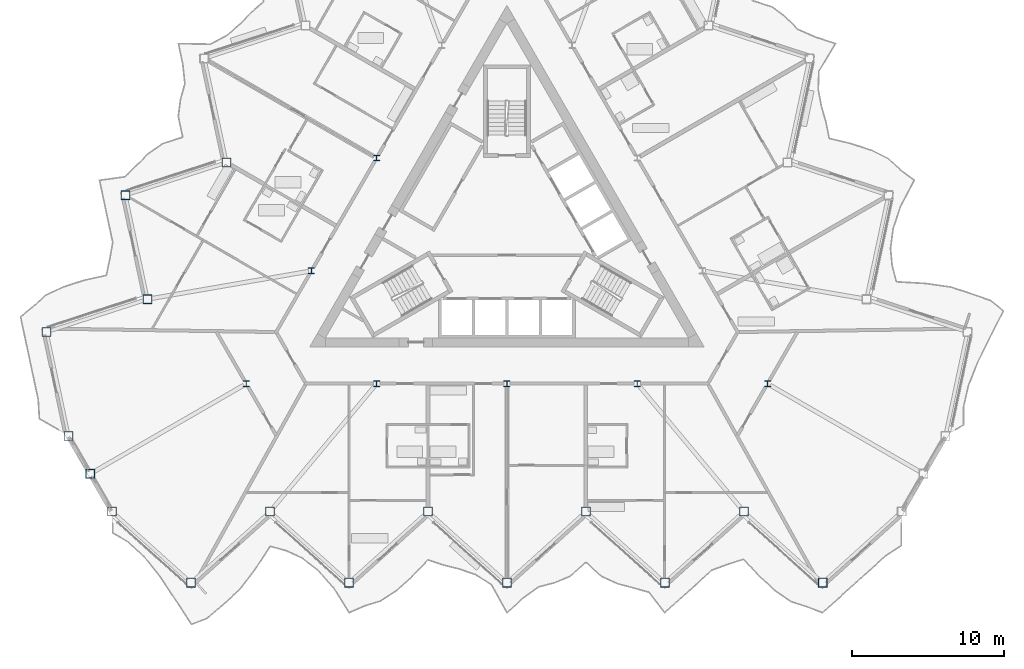
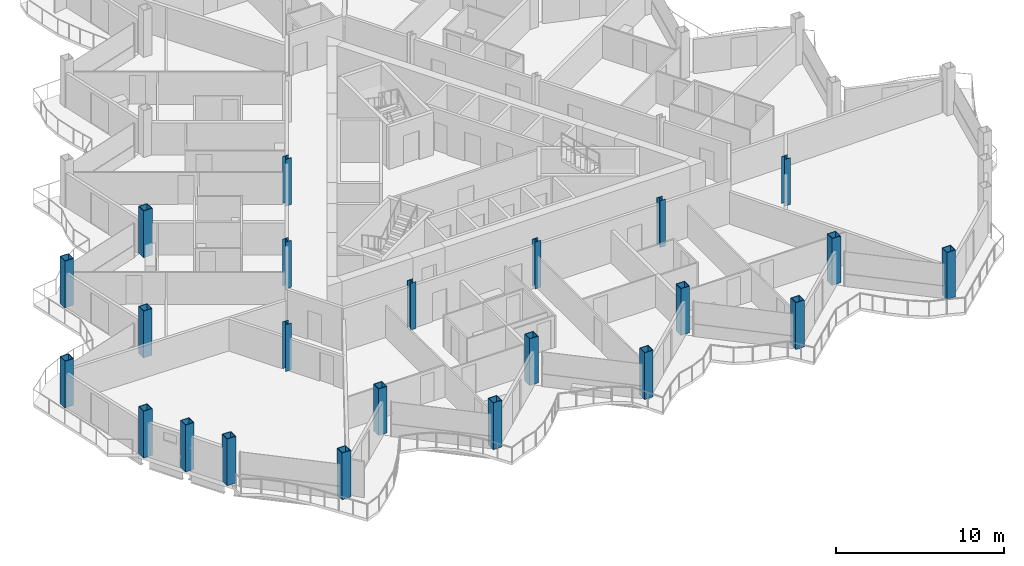
# One storey, part 1 of 26: 23 columns.
"""IFC4 building model written with IfcOpenShell, lengths in metres."""

from ifc_helpers import new_model, si_unit, direction, frame, origin, origin_2d, place, context, subcontext, project, spatial, hollow_rectangle, i_section, extrude, material, material_profile, profile_set, type_object, element, save


model = new_model("IFC4")

# Units and contexts
model_context = context("Model", 3, precision=1e-05, world=origin(), true_north=direction((0.0, 1.0)))
body_context = subcontext(model_context, "Body", "Model", "MODEL_VIEW")
ifc_project = project(units=[si_unit("LENGTHUNIT", "METRE"), si_unit("AREAUNIT", "SQUARE_METRE"), si_unit("VOLUMEUNIT", "CUBIC_METRE"), si_unit("PLANEANGLEUNIT", "RADIAN"), si_unit("MASSUNIT", "GRAM", prefix="KILO")], contexts=[model_context])

# Site, building, storey
site_placement = place(None, origin())
site = spatial("IfcSite", under=ifc_project, at=site_placement, CompositionType="ELEMENT")
building_placement = place(site_placement, origin())
building = spatial("IfcBuilding", under=site, at=building_placement, Name="Cormorant Prow Tower", CompositionType="ELEMENT")
storey_placement = place(building_placement, frame((0.0, 0.0, 325.60009765625)))
storey = spatial("IfcBuildingStorey", under=building, at=storey_placement, Name="L72", CompositionType="ELEMENT", Elevation=325.60009765625)

# Columns
ifc_material_1 = material(Name="Structural steel ASTM A572 Gr 50", Category="steel")
ifc_material_profile_1 = material_profile(ifc_material_1, hollow_rectangle(XDim=0.60009765625, YDim=0.60009765625, WallThickness=0.0400390625, at=origin_2d()), Name="Box 600x600x40")
ifc_profile_set_1 = profile_set([ifc_material_profile_1], Name="Structural steel ASTM A572 Gr 50")
column_type_1 = type_object("IfcColumnType", Name="Perimeter box column 600x600x40", PredefinedType="COLUMN", material=ifc_profile_set_1)
for number, where, z_axis, x_axis, name in (
    (1, (-25.995361328125, -18.326904296875, 0.0), (0.0, 0.0, 1.0), (1.0, 0.0, 0.0), "Perimeter column C6 at S00 L72"),
    (2, (-20.79638671875, -23.008056640625, 0.0), (0.0, 0.0, 1.0), (1.0, 0.0, 0.0), "Perimeter column C6 at S01 L72"),
    (3, (-15.59716796875, -18.326904296875, 0.0), (0.0, 0.0, 1.0), (1.0, 0.0, 0.0), "Perimeter column C6 at S02 L72"),
    (4, (-10.398193359375, -23.008056640625, 0.0), (0.0, 0.0, 1.0), (1.0, 0.0, 0.0), "Perimeter column C6 at S03 L72"),
    (5, (-5.198974609375, -18.326904296875, 0.0), (0.0, 0.0, 1.0), (1.0, 0.0, 0.0), "Perimeter column C6 at S04 L72"),
    (6, (0.0, -23.008056640625, 0.0), (0.0, 0.0, 1.0), (1.0, 0.0, 0.0), "Perimeter column C6 at S05 L72"),
    (7, (5.198974609375, -18.326904296875, 0.0), (0.0, 0.0, 1.0), (1.0, 0.0, 0.0), "Perimeter column C6 at S06 L72"),
    (8, (10.398193359375, -23.008056640625, 0.0), (0.0, 0.0, 1.0), (1.0, 0.0, 0.0), "Perimeter column C6 at S07 L72"),
    (9, (15.59716796875, -18.326904296875, 0.0), (0.0, 0.0, 1.0), (1.0, 0.0, 0.0), "Perimeter column C6 at S08 L72"),
    (10, (20.79638671875, -23.008056640625, 0.0), (0.0, 0.0, 1.0), (1.0, 0.0, 0.0), "Perimeter column C6 at S09 L72"),
    (11, (-18.470947265625, 4.660888671875, 0.0), (0.0, 0.0, 1.0), (1.0, 0.0, 0.0), "Perimeter column C6 at WNW06 L72"),
    (12, (-25.124755859375, 2.4990234375, 0.0), (0.0, 0.0, 1.0), (1.0, 0.0, 0.0), "Perimeter column C6 at WNW07 L72"),
    (13, (-23.670166015625, -4.34423828125, 0.0), (0.0, 0.0, 1.0), (1.0, 0.0, 0.0), "Perimeter column C6 at WNW08 L72"),
    (14, (-30.32373046875, -6.506103515625, 0.0), (0.0, 0.0, 1.0), (1.0, 0.0, 0.0), "Perimeter column C6 at WNW09 L72"),
    (15, (-28.869140625, -13.349365234375, 0.0), (0.0, 0.0, 1.0), (1.0, 0.0, 0.0), "Perimeter column C6 at WSW00 L72"),
    (16, (-27.432373046875, -15.838134765625, 0.0), (0.0, 0.0, 1.0), (1.0, 0.0, 0.0), "Perimeter column C6 at WSW01 L72"),
):
    element("IfcColumn", number, at=place(storey_placement, frame(where, z_axis=z_axis, x_axis=x_axis)), inside=storey, type_object=column_type_1, Name=name, PredefinedType="COLUMN", context=body_context, shape_type="SweptSolid", body=[
        extrude(hollow_rectangle(XDim=0.60009765625, YDim=0.60009765625, WallThickness=0.0400390625, at=origin_2d()), origin(), (0.0, 0.0, 1.0), 3.39990234375),
    ])
ifc_material_2 = material(Name="Structural steel ASTM A992 Gr 50", Category="steel")
ifc_material_profile_2 = material_profile(ifc_material_2, i_section(OverallWidth=0.3955078125, OverallDepth=0.380615234375, WebThickness=0.018798828125, FlangeThickness=0.0302734375, at=origin_2d()), Name="W14x159")
ifc_profile_set_2 = profile_set([ifc_material_profile_2], Name="Structural steel ASTM A992 Gr 50")
column_type_2 = type_object("IfcColumnType", Name="Ring column W14x159", PredefinedType="COLUMN", material=ifc_profile_set_2)
for number, where, z_axis, x_axis, name in (
    (17, (-8.578369140625, 4.952880859375, 0.0), (0.0, 0.0, 1.0), (1.0, 0.0, 0.0), "Ring column 3 L72"),
    (18, (-12.86767578125, -2.476318359375, 0.0), (0.0, 0.0, 1.0), (1.0, 0.0, 0.0), "Ring column 4 L72"),
    (19, (-17.156982421875, -9.905517578125, 0.0), (0.0, 0.0, 1.0), (1.0, 0.0, 0.0), "Ring column 5 L72"),
    (20, (-8.578369140625, -9.905517578125, 0.0), (0.0, 0.0, 1.0), (1.0, 0.0, 0.0), "Ring column 6 L72"),
    (21, (0.0, -9.905517578125, 0.0), (0.0, 0.0, 1.0), (1.0, 0.0, 0.0), "Ring column 7 L72"),
    (22, (8.578369140625, -9.905517578125, 0.0), (0.0, 0.0, 1.0), (1.0, 0.0, 0.0), "Ring column 8 L72"),
    (23, (17.156982421875, -9.905517578125, 0.0), (0.0, 0.0, 1.0), (1.0, 0.0, 0.0), "Ring column 9 L72"),
):
    element("IfcColumn", number, at=place(storey_placement, frame(where, z_axis=z_axis, x_axis=x_axis)), inside=storey, type_object=column_type_2, Name=name, PredefinedType="COLUMN", context=body_context, shape_type="SweptSolid", body=[
        extrude(i_section(OverallWidth=0.3955078125, OverallDepth=0.380615234375, WebThickness=0.018798828125, FlangeThickness=0.0302734375, at=origin_2d()), origin(), (0.0, 0.0, 1.0), 3.39990234375),
    ])

save(model, "model.ifc")
